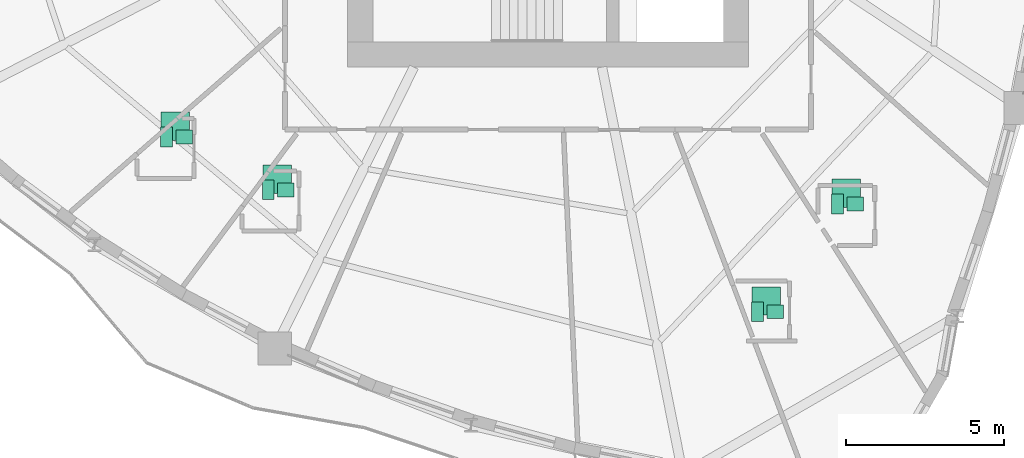
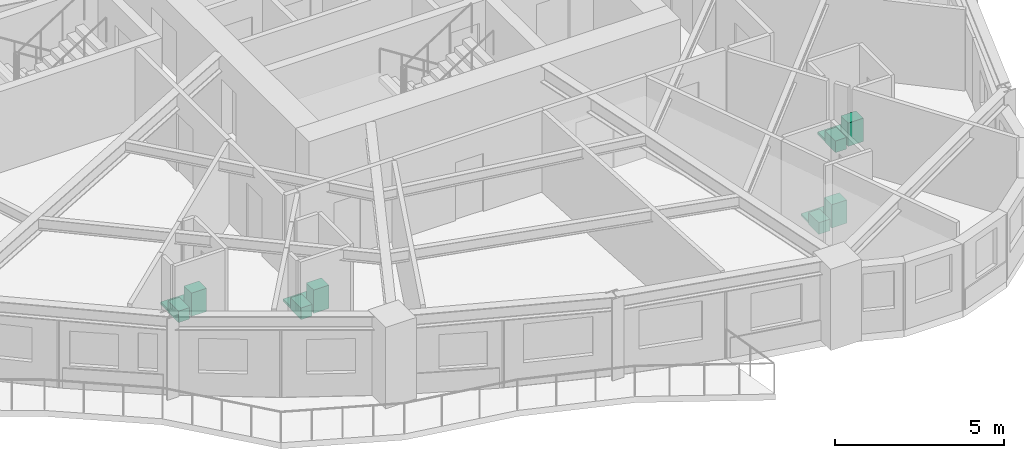
# One storey, part 15 of 15: 12 sanitary terminals.
"""IFC4 building model written with IfcOpenShell, lengths in metres."""

from ifc_helpers import new_model, si_unit, direction, frame, origin, origin_2d, place, context, subcontext, project, spatial, rectangle, extrude, source, transform, mapped, material, type_object, element, save


model = new_model("IFC4")

# Units and contexts
model_context = context("Model", 3, precision=1e-05, world=origin(), true_north=direction((0.0, 1.0)))
body_context = subcontext(model_context, "Body", "Model", "MODEL_VIEW")
ifc_project = project(units=[si_unit("LENGTHUNIT", "METRE"), si_unit("AREAUNIT", "SQUARE_METRE"), si_unit("VOLUMEUNIT", "CUBIC_METRE"), si_unit("PLANEANGLEUNIT", "RADIAN"), si_unit("MASSUNIT", "GRAM", prefix="KILO")], contexts=[model_context])

# Site, building, storey
site_placement = place(None, origin())
site = spatial("IfcSite", under=ifc_project, at=site_placement, CompositionType="ELEMENT")
building_placement = place(site_placement, origin())
building = spatial("IfcBuilding", under=site, at=building_placement, Name="Qafzar Sky-Pleat Residences", CompositionType="ELEMENT")
storey_placement = place(building_placement, frame((0.0, 0.0, 36.60009765625)))
storey = spatial("IfcBuildingStorey", under=building, at=storey_placement, Name="L10", CompositionType="ELEMENT", Elevation=36.60009765625)

# Sanitary terminals
ifc_material_1 = material(Name="Vitreous china sanitaryware")
sanitary_terminal_type_1 = type_object("IfcSanitaryTerminalType", Name="SAN-WC-PAN", PredefinedType="TOILETPAN", material=ifc_material_1)
shared_shape_1 = source(origin(), body_context, "Body", "SweptSolid", [
    extrude(rectangle(XDim=0.3798828125, YDim=0.6201171875, at=origin_2d()), origin(), (0.0, 0.0, 1.0), 0.419921875),
])
for number, where, z_axis, x_axis, name in (
    (1, (18.264892578125, 15.185302734375, 0.0), (0.0, 0.0, 1.0), (1.0, 0.0, 0.0), "L10 En-suite Bathroom 1 WC Pan"),
    (2, (21.485595703125, 13.51025390625, 0.0), (0.0, 0.0, 1.0), (1.0, 0.0, 0.0), "L10 En-suite Bathroom 2 WC Pan"),
    (3, (36.9794921875, 9.652099609375, 0.0), (0.0, 0.0, 1.0), (1.0, 0.0, 0.0), "L10 En-suite Bathroom 3 WC Pan"),
    (4, (39.51708984375, 13.06298828125, 0.0), (0.0, 0.0, 1.0), (1.0, 0.0, 0.0), "L10 En-suite Bathroom 4 WC Pan"),
):
    element("IfcSanitaryTerminal", number, at=place(storey_placement, frame(where, z_axis=z_axis, x_axis=x_axis)), inside=storey, type_object=sanitary_terminal_type_1, Name=name, PredefinedType="TOILETPAN", context=body_context, shape_type="MappedRepresentation", body=[
        mapped(shared_shape_1, transform((0.0, 0.0, 0.0), x_axis=(1.0, 0.0, 0.0), y_axis=(0.0, 1.0, 0.0), z_axis=(0.0, 0.0, 1.0), scale=1.0)),
    ])
sanitary_terminal_type_2 = type_object("IfcSanitaryTerminalType", Name="SAN-BASIN", PredefinedType="WASHHANDBASIN", material=ifc_material_1)
shared_shape_2 = source(origin(), body_context, "Body", "SweptSolid", [
    extrude(rectangle(XDim=0.52001953125, YDim=0.43994140625, at=origin_2d()), origin(), (0.0, 0.0, 1.0), 0.840087890625),
])
for number, where, z_axis, x_axis, name in (
    (5, (18.82470703125, 15.185302734375, 0.0), (0.0, 0.0, 1.0), (1.0, 0.0, 0.0), "L10 En-suite Bathroom 1 Pedestal Washbasin"),
    (6, (22.045654296875, 13.51025390625, 0.0), (0.0, 0.0, 1.0), (1.0, 0.0, 0.0), "L10 En-suite Bathroom 2 Pedestal Washbasin"),
    (7, (37.53955078125, 9.652099609375, 0.0), (0.0, 0.0, 1.0), (1.0, 0.0, 0.0), "L10 En-suite Bathroom 3 Pedestal Washbasin"),
    (8, (40.076904296875, 13.06298828125, 0.0), (0.0, 0.0, 1.0), (1.0, 0.0, 0.0), "L10 En-suite Bathroom 4 Pedestal Washbasin"),
):
    element("IfcSanitaryTerminal", number, at=place(storey_placement, frame(where, z_axis=z_axis, x_axis=x_axis)), inside=storey, type_object=sanitary_terminal_type_2, Name=name, PredefinedType="WASHHANDBASIN", context=body_context, shape_type="MappedRepresentation", body=[
        mapped(shared_shape_2, transform((0.0, 0.0, 0.0), x_axis=(1.0, 0.0, 0.0), y_axis=(0.0, 1.0, 0.0), z_axis=(0.0, 0.0, 1.0), scale=1.0)),
    ])
ifc_material_2 = material(Name="Vitreous china and acrylic tray")
sanitary_terminal_type_3 = type_object("IfcSanitaryTerminalType", Name="SAN-SHOWER", PredefinedType="SHOWER", material=ifc_material_2)
shared_shape_3 = source(origin(), body_context, "Body", "SweptSolid", [
    extrude(rectangle(XDim=0.89990234375, YDim=0.89990234375, at=origin_2d()), origin(), (0.0, 0.0, 1.0), 0.080078125),
])
for number, where, z_axis, x_axis, name in (
    (9, (18.544921875, 15.525390625, -0.000244140625), (0.0, 0.0, 1.0), (1.0, 0.0, 0.0), "L10 En-suite Bathroom 1 Walk-In Shower"),
    (10, (21.765625, 13.85009765625, -0.000244140625), (0.0, 0.0, 1.0), (1.0, 0.0, 0.0), "L10 En-suite Bathroom 2 Walk-In Shower"),
    (11, (37.259521484375, 9.9921875, -0.000244140625), (0.0, 0.0, 1.0), (1.0, 0.0, 0.0), "L10 En-suite Bathroom 3 Walk-In Shower"),
    (12, (39.797119140625, 13.403076171875, -0.000244140625), (0.0, 0.0, 1.0), (1.0, 0.0, 0.0), "L10 En-suite Bathroom 4 Walk-In Shower"),
):
    element("IfcSanitaryTerminal", number, at=place(storey_placement, frame(where, z_axis=z_axis, x_axis=x_axis)), inside=storey, type_object=sanitary_terminal_type_3, Name=name, PredefinedType="SHOWER", context=body_context, shape_type="MappedRepresentation", body=[
        mapped(shared_shape_3, transform((0.0, 0.0, 0.0), x_axis=(1.0, 0.0, 0.0), y_axis=(0.0, 1.0, 0.0), z_axis=(0.0, 0.0, 1.0), scale=1.0)),
    ])

save(model, "model.ifc")
